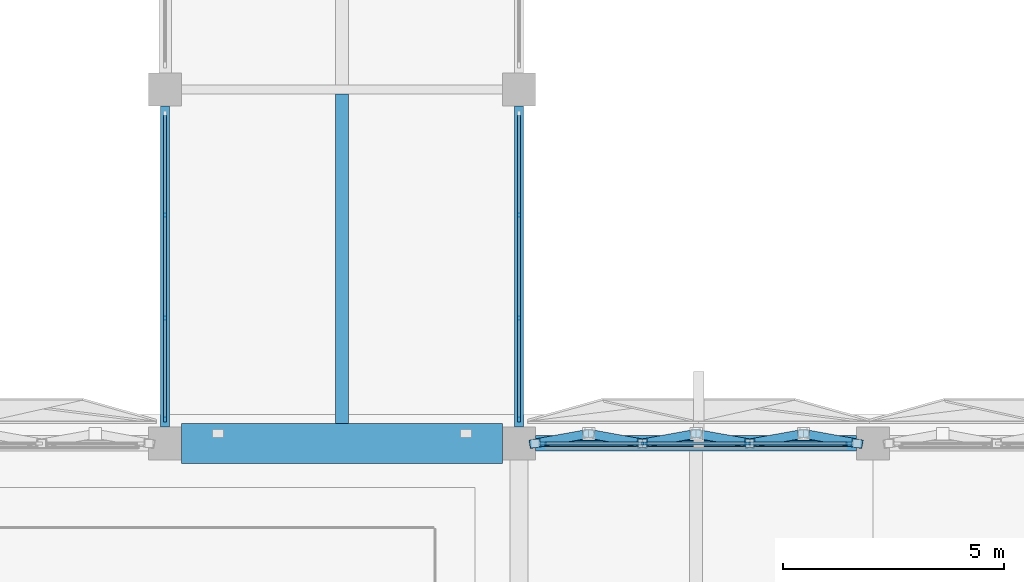
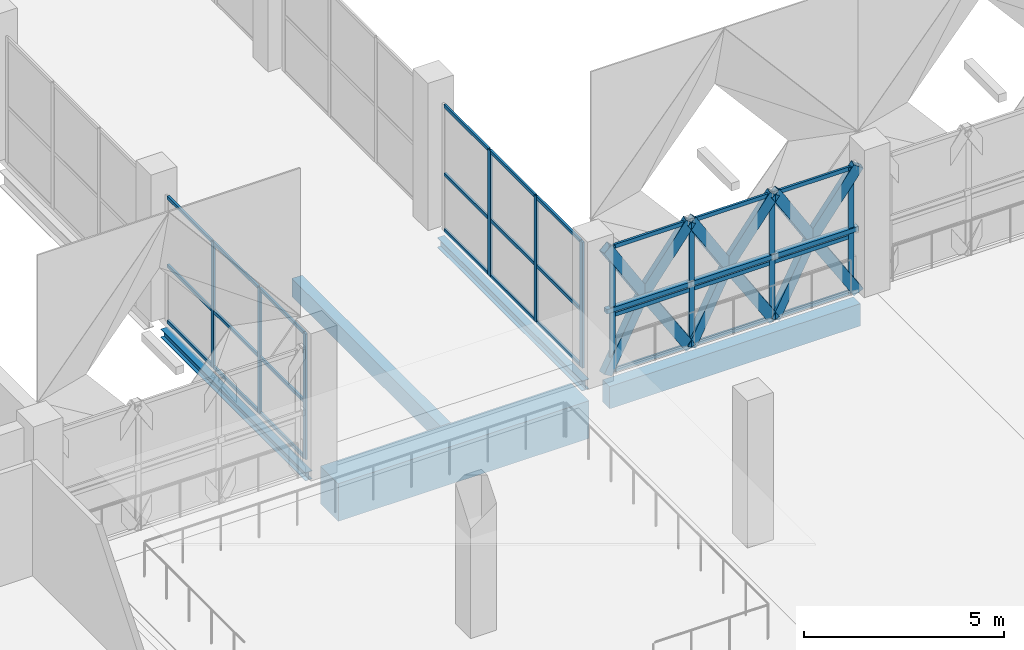
# One storey, part 8 of 53: 52 members, 5 beams, 3 elements without a shape of their own.
"""IFC4 building model written with IfcOpenShell, lengths in metres."""

import ifcopenshell
import ifcopenshell.guid

model = None  # the IFC model being written
_history = None  # IfcOwnerHistory: only IFC2X3 demands one
_inside = {}  # id of a spatial element -> (the spatial element, [elements in it])
_under = {}  # id of a project, library or spatial element -> (it, [spatial elements below it])
_declared = {}  # id of a project -> (the project, [libraries it declares])
_typed = {}  # id of a type object -> (the type object, [elements of that type])
_made_of = {}  # id of a material, layer set ... -> (it, [elements and type objects made of it])


def new_model(schema):
    """Start an empty IFC model of exactly this schema.

    Asked for "IFC4X3", IfcOpenShell would pick the latest addendum, in which some entities
    have other attributes; the version numbers below select the first issue.
    IFC2X3 requires an IfcOwnerHistory on every rooted entity: one is made here for all.
    """
    global model, _history
    if schema == "IFC4X3":
        model = ifcopenshell.file(schema_version=(4, 3, 0, 0))
    else:
        model = ifcopenshell.file(schema=schema)
    _inside.clear()
    _under.clear()
    _declared.clear()
    _typed.clear()
    _made_of.clear()
    _history = None
    if model.schema == "IFC2X3":
        org = make("IfcOrganization", Name="unknown")
        user = make(
            "IfcPersonAndOrganization",
            ThePerson=make("IfcPerson", FamilyName="unknown"),
            TheOrganization=org,
        )
        app = make(
            "IfcApplication",
            ApplicationDeveloper=org,
            Version="unknown",
            ApplicationFullName="unknown",
            ApplicationIdentifier="unknown",
        )
        _history = make(
            "IfcOwnerHistory",
            OwningUser=user,
            OwningApplication=app,
            ChangeAction="ADDED",
            CreationDate=0,
        )
    return model


def make(cls, **values):
    """One entity of the class cls with the attributes given. An attribute that is None is left unset."""
    return model.create_entity(
        cls, **{name: value for name, value in values.items() if value is not None}
    )


def rooted(cls, **values):
    """An entity with a GlobalId (a new one), such as an element, a storey or a relation."""
    return make(cls, GlobalId=ifcopenshell.guid.new(), OwnerHistory=_history, **values)


def si_unit(unit_type, name, prefix=None):
    """IfcSIUnit, for example si_unit("LENGTHUNIT", "METRE", prefix="MILLI")."""
    return make("IfcSIUnit", UnitType=unit_type, Prefix=prefix, Name=name)


def assignment(units):
    """IfcUnitAssignment: the units of a project."""
    return None if units is None else make("IfcUnitAssignment", Units=units)


def point(xyz):
    """IfcCartesianPoint."""
    return None if xyz is None else make("IfcCartesianPoint", Coordinates=xyz)


def direction(xyz):
    """IfcDirection."""
    return None if xyz is None else make("IfcDirection", DirectionRatios=xyz)


def frame(location, z_axis=None, x_axis=None):
    """IfcAxis2Placement3D, a coordinate frame: its origin and axes. An axis left out is left unset."""
    return make(
        "IfcAxis2Placement3D",
        Location=point(location),
        Axis=direction(z_axis),
        RefDirection=direction(x_axis),
    )


def frame_2d(location, x_axis=None):
    """IfcAxis2Placement2D, a coordinate frame in the plane: its origin and x axis."""
    return make(
        "IfcAxis2Placement2D", Location=point(location), RefDirection=direction(x_axis)
    )


def origin():
    """The frame at (0, 0, 0) with its axes left unset."""
    return frame((0.0, 0.0, 0.0))


def origin_2d():
    """The frame at (0, 0) in the plane with its x axis left unset."""
    return frame_2d((0.0, 0.0))


def place(relative_to, where):
    """IfcLocalPlacement: puts the frame where relative to a parent placement (None: the world)."""
    return make(
        "IfcLocalPlacement", PlacementRelTo=relative_to, RelativePlacement=where
    )


def context(
    kind, dimensions, precision=None, world=None, true_north=None, identifier=None
):
    """IfcGeometricRepresentationContext, for example the 3D "Model" context."""
    return make(
        "IfcGeometricRepresentationContext",
        ContextIdentifier=identifier,
        ContextType=kind,
        CoordinateSpaceDimension=dimensions,
        Precision=precision,
        WorldCoordinateSystem=world,
        TrueNorth=true_north,
    )


def subcontext(parent, identifier, kind, view, scale=None):
    """IfcGeometricRepresentationSubContext, for example "Body" below "Model"."""
    return make(
        "IfcGeometricRepresentationSubContext",
        ContextIdentifier=identifier,
        ContextType=kind,
        ParentContext=parent,
        TargetScale=scale,
        TargetView=view,
    )


def project(units=None, contexts=None):
    """IfcProject with its units and contexts."""
    return rooted(
        "IfcProject",
        Name="project",
        RepresentationContexts=contexts,
        UnitsInContext=assignment(units),
    )


def spatial(cls, under=None, at=None, **own):
    """A site, building, storey or space (cls), placed at a placement, below another one or the project."""
    s = rooted(cls, ObjectPlacement=at, **own)
    if under is not None:
        _under.setdefault(under.id(), (under, []))[1].append(s)
    return s


def profile(cls, at=None, kind="AREA", **sizes):
    """A parametric profile (cls). Its sizes go by their IFC names, for example OverallWidth=200.0."""
    return make(cls, ProfileType=kind, Position=at, **sizes)


def rectangle(**sizes):
    """IfcRectangleProfileDef."""
    return profile("IfcRectangleProfileDef", **sizes)


def hollow_rectangle(**sizes):
    """IfcRectangleHollowProfileDef."""
    return profile("IfcRectangleHollowProfileDef", **sizes)


def i_section(**sizes):
    """IfcIShapeProfileDef."""
    return profile("IfcIShapeProfileDef", **sizes)


def extrude(swept, where, along, depth):
    """IfcExtrudedAreaSolid: the profile swept, set in the frame where, extruded along a direction by depth."""
    return make(
        "IfcExtrudedAreaSolid",
        SweptArea=swept,
        Position=where,
        ExtrudedDirection=direction(along),
        Depth=depth,
    )


def shape(context_of_items, identifier, shape_type, items):
    """IfcShapeRepresentation: the items that make up one representation, for example the "Body"."""
    return make(
        "IfcShapeRepresentation",
        ContextOfItems=context_of_items,
        RepresentationIdentifier=identifier,
        RepresentationType=shape_type,
        Items=items,
    )


def material(Name=None, Category=None):
    """IfcMaterial."""
    return make("IfcMaterial", Name=Name, Category=Category)


def layer(
    of_material, thickness, ventilated=None, Name=None, Category=None, Priority=None
):
    """IfcMaterialLayer: one layer of a wall or slab, of a material (None: an air gap)."""
    return make(
        "IfcMaterialLayer",
        Material=of_material,
        LayerThickness=thickness,
        IsVentilated=ventilated,
        Name=Name,
        Category=Category,
        Priority=Priority,
    )


def layer_set(layers, Name=None):
    """IfcMaterialLayerSet."""
    return make("IfcMaterialLayerSet", MaterialLayers=layers, LayerSetName=Name)


def material_profile(
    of_material, cross_section, Name=None, Category=None, Priority=None
):
    """IfcMaterialProfile: a cross section and its material."""
    return make(
        "IfcMaterialProfile",
        Name=Name,
        Material=of_material,
        Profile=cross_section,
        Priority=Priority,
        Category=Category,
    )


def profile_set(profiles, Name=None, composite=None):
    """IfcMaterialProfileSet."""
    return make(
        "IfcMaterialProfileSet",
        Name=Name,
        MaterialProfiles=profiles,
        CompositeProfile=composite,
    )


def made_of(thing, what):
    """Note that an element or type object is made of a material, layer set ...; save() writes the relation."""
    if what is not None:
        _made_of.setdefault(what.id(), (what, []))[1].append(thing)
    return thing


def type_object(cls, material=None, **own):
    """A type object (cls), such as IfcWallType, which elements share."""
    return made_of(rooted(cls, **own), material)


def element(
    cls,
    number,
    at=None,
    inside=None,
    cuts=None,
    type_object=None,
    material=None,
    context=None,
    identifier="Body",
    shape_type=None,
    held_by="IfcProductDefinitionShape",
    body=None,
    shapes=None,
    **own,
):
    """One element of the class cls, such as IfcWall. Its Tag is "e" and its number.

    at: its placement. inside: the storey or other place that contains it. cuts: it is an
    opening in that element (IfcRelVoidsElement). A single representation is given by context,
    identifier, shape_type and body (its items); several are given by shapes. held_by: the class
    of the entity that holds the representations. save() writes the other relations.
    """
    e = rooted(cls, Tag="e%d" % number, ObjectPlacement=at, **own)
    if body is not None:
        shapes = [shape(context, identifier, shape_type, body)]
    if shapes is not None:
        e.Representation = make(held_by, Representations=shapes)
    if inside is not None:
        _inside.setdefault(inside.id(), (inside, []))[1].append(e)
    if cuts is not None:
        rooted(
            "IfcRelVoidsElement", RelatingBuildingElement=cuts, RelatedOpeningElement=e
        )
    if type_object is not None:
        _typed.setdefault(type_object.id(), (type_object, []))[1].append(e)
    return made_of(e, material)


def aggregate(whole, parts):
    """IfcRelAggregates: a whole, such as a stair, and the parts it consists of."""
    return rooted("IfcRelAggregates", RelatingObject=whole, RelatedObjects=parts)


def save(model, path):
    """Write the relations noted so far, then the file.

    IfcRelAggregates (storeys below a building ...), IfcRelContainedInSpatialStructure (elements
    in a storey), IfcRelDefinesByType, IfcRelAssociatesMaterial and IfcRelDeclares: one each for
    every whole, place, type object, material and project.
    """
    for whole, parts in _under.values():
        aggregate(whole, parts)
    for where, things in _inside.values():
        rooted(
            "IfcRelContainedInSpatialStructure",
            RelatedElements=things,
            RelatingStructure=where,
        )
    for kind, things in _typed.values():
        rooted("IfcRelDefinesByType", RelatedObjects=things, RelatingType=kind)
    for what, things in _made_of.values():
        rooted("IfcRelAssociatesMaterial", RelatedObjects=things, RelatingMaterial=what)
    for by, libraries in _declared.values():
        rooted("IfcRelDeclares", RelatingContext=by, RelatedDefinitions=libraries)
    model.write(path)


model = new_model("IFC4")

# Units and contexts
model_context = context("Model", 3, precision=1e-05, world=origin(), true_north=direction((0.0, 1.0)))
body_context = subcontext(model_context, "Body", "Model", "MODEL_VIEW")
ifc_project = project(units=[si_unit("LENGTHUNIT", "METRE"), si_unit("AREAUNIT", "SQUARE_METRE"), si_unit("VOLUMEUNIT", "CUBIC_METRE"), si_unit("PLANEANGLEUNIT", "RADIAN"), si_unit("MASSUNIT", "GRAM", prefix="KILO")], contexts=[model_context])

# Site, building, storey
site_placement = place(None, origin())
site = spatial("IfcSite", under=ifc_project, at=site_placement, CompositionType="ELEMENT")
building_placement = place(site_placement, origin())
building = spatial("IfcBuilding", under=site, at=building_placement, Name="Qorikala Patio Media Centre", CompositionType="ELEMENT")
storey_placement = place(building_placement, frame((0.0, 0.0, 5.39990234375)))
storey = spatial("IfcBuildingStorey", under=building, at=storey_placement, Name="L01", CompositionType="ELEMENT", Elevation=5.39990234375)

# Beam
ifc_material_1 = material(Name="Concrete C35/45", Category="concrete")
ifc_material_profile_1 = material_profile(ifc_material_1, rectangle(XDim=0.89990234375, YDim=1.14990234375, at=origin_2d()), Name="RC 900x1150")
ifc_profile_set_1 = profile_set([ifc_material_profile_1], Name="Concrete C35/45")
beam_type_1 = type_object("IfcBeamType", Name="BM-TR900X1150", PredefinedType="BEAM", material=ifc_profile_set_1)
beam_1_placement = place(storey_placement, frame((51.375, 27.0, -0.875), z_axis=(1.0, 0.0, 0.0), x_axis=(0.0, 1.0, 0.0)))
element("IfcBeam", 1, at=beam_1_placement, inside=storey, type_object=beam_type_1, Name="L01 Grid 27 Beam 0463", PredefinedType="BEAM", context=body_context, shape_type="SweptSolid", body=[
    extrude(rectangle(XDim=0.89990234375, YDim=1.14990234375, at=origin_2d()), origin(), (0.0, 0.0, 1.0), 7.25),
])

# Members
ifc_material_2 = material(Name="Golden Bronze Coated Steel S355", Category="steel")
ifc_material_profile_2 = material_profile(ifc_material_2, hollow_rectangle(XDim=0.139892578125, YDim=0.139892578125, WallThickness=0.006103515625, at=origin_2d()), Name="HSS140X140X6")
ifc_profile_set_2 = profile_set([ifc_material_profile_2], Name="Golden Bronze Coated Steel S355")
member_type_1 = type_object("IfcMemberType", Name="BRACE-DIA140", PredefinedType="BRACE", material=ifc_profile_set_2)
member_1_placement = place(storey_placement, frame((59.360107421875, 27.0, 1.925048828125), z_axis=(1.0, 0.0, 0.0), x_axis=(0.0, 1.0, 0.0)))
element("IfcMember", 2, at=member_1_placement, inside=storey, type_object=member_type_1, Name="L01 Diamond Fold Tie 004", PredefinedType="BRACE", context=body_context, shape_type="SweptSolid", body=[
    extrude(hollow_rectangle(XDim=0.139892578125, YDim=0.139892578125, WallThickness=0.006103515625, at=origin_2d()), origin(), (0.0, 0.0, 1.0), 2.426513671875),
])
member_2_placement = place(storey_placement, frame((61.78662109375, 27.0, 1.925048828125), z_axis=(1.0, 0.0, 0.0), x_axis=(0.0, 1.0, 0.0)))
element("IfcMember", 3, at=member_2_placement, inside=storey, type_object=member_type_1, Name="L01 Diamond Fold Tie 005", PredefinedType="BRACE", context=body_context, shape_type="SweptSolid", body=[
    extrude(hollow_rectangle(XDim=0.139892578125, YDim=0.139892578125, WallThickness=0.006103515625, at=origin_2d()), origin(), (0.0, 0.0, 1.0), 2.4267578125),
])
member_3_placement = place(storey_placement, frame((64.21337890625, 27.0, 1.925048828125), z_axis=(1.0, 0.0, 0.0), x_axis=(0.0, 1.0, 0.0)))
element("IfcMember", 4, at=member_3_placement, inside=storey, type_object=member_type_1, Name="L01 Diamond Fold Tie 006", PredefinedType="BRACE", context=body_context, shape_type="SweptSolid", body=[
    extrude(hollow_rectangle(XDim=0.139892578125, YDim=0.139892578125, WallThickness=0.006103515625, at=origin_2d()), origin(), (0.0, 0.0, 1.0), 2.426513671875),
])

# Curtain wall, members
ifc_material_3 = material(Name="Bronze Anodised Aluminium and Low-E Glass", Category="aluminium")
ifc_layer_1 = layer(ifc_material_3, 0.159912109375)
ifc_layer_set_1 = layer_set([ifc_layer_1], Name="Bronze Anodised Aluminium and Low-E Glass")
curtain_wall_type_1 = type_object("IfcCurtainWallType", Name="CW-BRG-696X385", PredefinedType="USERDEFINED", material=ifc_layer_set_1)
curtain_wall_1_placement = place(storey_placement, origin())
curtain_wall_1 = element("IfcCurtainWall", 5, at=curtain_wall_1_placement, inside=storey, type_object=curtain_wall_type_1, Name="L01 Courtyard Curtain Wall 016", ObjectType="COURTYARD CURTAIN WALL", PredefinedType="USERDEFINED")
ifc_material_4 = material(Name="Bronze Anodised Aluminium", Category="aluminium")
ifc_material_profile_3 = material_profile(ifc_material_4, rectangle(XDim=0.06005859375, YDim=0.1298828125, at=origin_2d()), Name="ALU MULLION 60x130")
ifc_profile_set_3 = profile_set([ifc_material_profile_3], Name="Bronze Anodised Aluminium")
member_type_2 = type_object("IfcMemberType", Name="CWM-60X130", PredefinedType="MULLION", material=ifc_profile_set_3)
member_4_placement = place(storey_placement, frame((51.0, 27.550048828125, 0.0), z_axis=(0.0, 0.0, 1.0), x_axis=(-1.0, 0.0, 0.0)))
member_4 = element("IfcMember", 6, at=member_4_placement, type_object=member_type_2, Name="CWB696385 mullion 1", PredefinedType="MULLION", context=body_context, shape_type="SweptSolid", body=[
    extrude(rectangle(XDim=0.06005859375, YDim=0.1298828125, at=origin_2d()), origin(), (0.0, 0.0, 1.0), 3.85009765625),
])
member_5_placement = place(storey_placement, frame((51.0, 29.840087890625, 0.0), z_axis=(0.0, 0.0, 1.0), x_axis=(-1.0, 0.0, 0.0)))
member_5 = element("IfcMember", 7, at=member_5_placement, type_object=member_type_2, Name="CWB696385 mullion 2", PredefinedType="MULLION", context=body_context, shape_type="SweptSolid", body=[
    extrude(rectangle(XDim=0.06005859375, YDim=0.1298828125, at=origin_2d()), origin(), (0.0, 0.0, 1.0), 3.85009765625),
])
member_6_placement = place(storey_placement, frame((51.0, 32.159912109375, 0.0), z_axis=(0.0, 0.0, 1.0), x_axis=(-1.0, 0.0, 0.0)))
member_6 = element("IfcMember", 8, at=member_6_placement, type_object=member_type_2, Name="CWB696385 mullion 3", PredefinedType="MULLION", context=body_context, shape_type="SweptSolid", body=[
    extrude(rectangle(XDim=0.06005859375, YDim=0.1298828125, at=origin_2d()), origin(), (0.0, 0.0, 1.0), 3.85009765625),
])

curtain_wall_2_placement = place(storey_placement, origin())
curtain_wall_2 = element("IfcCurtainWall", 9, at=curtain_wall_2_placement, inside=storey, type_object=curtain_wall_type_1, Name="L01 Courtyard Curtain Wall 029", ObjectType="COURTYARD CURTAIN WALL", PredefinedType="USERDEFINED")
member_7_placement = place(storey_placement, frame((59.0, 32.159912109375, 0.0), z_axis=(0.0, 0.0, 1.0), x_axis=(1.0, 0.0, 0.0)))
member_7 = element("IfcMember", 10, at=member_7_placement, type_object=member_type_2, Name="CWB696385 mullion 2", PredefinedType="MULLION", context=body_context, shape_type="SweptSolid", body=[
    extrude(rectangle(XDim=0.06005859375, YDim=0.1298828125, at=origin_2d()), origin(), (0.0, 0.0, 1.0), 3.85009765625),
])
member_8_placement = place(storey_placement, frame((59.0, 29.840087890625, 0.0), z_axis=(0.0, 0.0, 1.0), x_axis=(1.0, 0.0, 0.0)))
member_8 = element("IfcMember", 11, at=member_8_placement, type_object=member_type_2, Name="CWB696385 mullion 3", PredefinedType="MULLION", context=body_context, shape_type="SweptSolid", body=[
    extrude(rectangle(XDim=0.06005859375, YDim=0.1298828125, at=origin_2d()), origin(), (0.0, 0.0, 1.0), 3.85009765625),
])
member_9_placement = place(storey_placement, frame((59.0, 27.550048828125, 0.0), z_axis=(0.0, 0.0, 1.0), x_axis=(1.0, 0.0, 0.0)))
member_9 = element("IfcMember", 12, at=member_9_placement, type_object=member_type_2, Name="CWB696385 mullion 4", PredefinedType="MULLION", context=body_context, shape_type="SweptSolid", body=[
    extrude(rectangle(XDim=0.06005859375, YDim=0.1298828125, at=origin_2d()), origin(), (0.0, 0.0, 1.0), 3.85009765625),
])

ifc_material_5 = material(Name="Golden Bronze Anodised Aluminium and Low-E Glass", Category="aluminium")
ifc_layer_2 = layer(ifc_material_5, 0.159912109375)
ifc_layer_set_2 = layer_set([ifc_layer_2], Name="Golden Bronze Anodised Aluminium and Low-E Glass")
curtain_wall_type_2 = type_object("IfcCurtainWallType", Name="CW-DIA-696X385", PredefinedType="USERDEFINED", material=ifc_layer_set_2)
curtain_wall_3_placement = place(storey_placement, origin())
curtain_wall_3 = element("IfcCurtainWall", 13, at=curtain_wall_3_placement, inside=storey, type_object=curtain_wall_type_2, Name="L01 Courtyard Curtain Wall 030", ObjectType="COURTYARD CURTAIN WALL", PredefinedType="USERDEFINED")
ifc_material_6 = material(Name="Golden Bronze Anodised Aluminium", Category="aluminium")
ifc_material_profile_4 = material_profile(ifc_material_6, rectangle(XDim=0.06494140625, YDim=0.14990234375, at=origin_2d()), Name="ALU MULLION 65x150")
ifc_profile_set_4 = profile_set([ifc_material_profile_4], Name="Golden Bronze Anodised Aluminium")
member_type_3 = type_object("IfcMemberType", Name="CWM-65X150", PredefinedType="MULLION", material=ifc_profile_set_4)
member_10_placement = place(storey_placement, frame((59.552490234375, 27.0, 0.0), z_axis=(0.0, 0.0, 1.0), x_axis=(0.0, 1.0, 0.0)))
member_10 = element("IfcMember", 14, at=member_10_placement, type_object=member_type_3, Name="CWD696385 mullion 1", PredefinedType="MULLION", context=body_context, shape_type="SweptSolid", body=[
    extrude(rectangle(XDim=0.06494140625, YDim=0.14990234375, at=origin_2d()), origin(), (0.0, 0.0, 1.0), 3.85009765625),
])
member_11_placement = place(storey_placement, frame((61.840087890625, 27.0, 0.0), z_axis=(0.0, 0.0, 1.0), x_axis=(0.0, 1.0, 0.0)))
member_11 = element("IfcMember", 15, at=member_11_placement, type_object=member_type_3, Name="CWD696385 mullion 2", PredefinedType="MULLION", context=body_context, shape_type="SweptSolid", body=[
    extrude(rectangle(XDim=0.06494140625, YDim=0.14990234375, at=origin_2d()), origin(), (0.0, 0.0, 1.0), 3.85009765625),
])
member_12_placement = place(storey_placement, frame((64.159912109375, 27.0, 0.0), z_axis=(0.0, 0.0, 1.0), x_axis=(0.0, 1.0, 0.0)))
member_12 = element("IfcMember", 16, at=member_12_placement, type_object=member_type_3, Name="CWD696385 mullion 3", PredefinedType="MULLION", context=body_context, shape_type="SweptSolid", body=[
    extrude(rectangle(XDim=0.06494140625, YDim=0.14990234375, at=origin_2d()), origin(), (0.0, 0.0, 1.0), 3.85009765625),
])
member_13_placement = place(storey_placement, frame((66.447509765625, 27.0, 0.0), z_axis=(0.0, 0.0, 1.0), x_axis=(0.0, 1.0, 0.0)))
member_13 = element("IfcMember", 17, at=member_13_placement, type_object=member_type_3, Name="CWD696385 mullion 4", PredefinedType="MULLION", context=body_context, shape_type="SweptSolid", body=[
    extrude(rectangle(XDim=0.06494140625, YDim=0.14990234375, at=origin_2d()), origin(), (0.0, 0.0, 1.0), 3.85009765625),
])

# Member
ifc_material_profile_5 = material_profile(ifc_material_4, rectangle(XDim=0.06005859375, YDim=0.10009765625, at=origin_2d()), Name="ALU TRANSOM 60x100")
ifc_profile_set_5 = profile_set([ifc_material_profile_5], Name="Bronze Anodised Aluminium")
member_type_4 = type_object("IfcMemberType", Name="CWT-60X100", PredefinedType="USERDEFINED", material=ifc_profile_set_5)
member_14_placement = place(storey_placement, frame((51.0, 27.580078125, 0.030029296875), z_axis=(0.0, 1.0, 0.0), x_axis=(-1.0, 0.0, 0.0)))
member_14 = element("IfcMember", 18, at=member_14_placement, type_object=member_type_4, Name="CWB696385 transom 1.1", ObjectType="TRANSOM", PredefinedType="USERDEFINED", context=body_context, shape_type="SweptSolid", body=[
    extrude(rectangle(XDim=0.06005859375, YDim=0.10009765625, at=origin_2d()), origin(), (0.0, 0.0, 1.0), 2.22998046875),
])

member_15_placement = place(storey_placement, frame((51.0, 27.580078125, 1.732666015625), z_axis=(0.0, 1.0, 0.0), x_axis=(-1.0, 0.0, 0.0)))
member_15 = element("IfcMember", 19, at=member_15_placement, type_object=member_type_4, Name="CWB696385 transom 1.2", ObjectType="TRANSOM", PredefinedType="USERDEFINED", context=body_context, shape_type="SweptSolid", body=[
    extrude(rectangle(XDim=0.06005859375, YDim=0.10009765625, at=origin_2d()), origin(), (0.0, 0.0, 1.0), 2.22998046875),
])

member_16_placement = place(storey_placement, frame((51.0, 27.580078125, 3.820068359375), z_axis=(0.0, 1.0, 0.0), x_axis=(-1.0, 0.0, 0.0)))
member_16 = element("IfcMember", 20, at=member_16_placement, type_object=member_type_4, Name="CWB696385 transom 1.3", ObjectType="TRANSOM", PredefinedType="USERDEFINED", context=body_context, shape_type="SweptSolid", body=[
    extrude(rectangle(XDim=0.06005859375, YDim=0.10009765625, at=origin_2d()), origin(), (0.0, 0.0, 1.0), 2.22998046875),
])

member_17_placement = place(storey_placement, frame((51.0, 29.8701171875, 0.030029296875), z_axis=(0.0, 1.0, 0.0), x_axis=(-1.0, 0.0, 0.0)))
member_17 = element("IfcMember", 21, at=member_17_placement, type_object=member_type_4, Name="CWB696385 transom 2.1", ObjectType="TRANSOM", PredefinedType="USERDEFINED", context=body_context, shape_type="SweptSolid", body=[
    extrude(rectangle(XDim=0.06005859375, YDim=0.10009765625, at=origin_2d()), origin(), (0.0, 0.0, 1.0), 2.259765625),
])

member_18_placement = place(storey_placement, frame((51.0, 29.8701171875, 1.732666015625), z_axis=(0.0, 1.0, 0.0), x_axis=(-1.0, 0.0, 0.0)))
member_18 = element("IfcMember", 22, at=member_18_placement, type_object=member_type_4, Name="CWB696385 transom 2.2", ObjectType="TRANSOM", PredefinedType="USERDEFINED", context=body_context, shape_type="SweptSolid", body=[
    extrude(rectangle(XDim=0.06005859375, YDim=0.10009765625, at=origin_2d()), origin(), (0.0, 0.0, 1.0), 2.259765625),
])

member_19_placement = place(storey_placement, frame((51.0, 29.8701171875, 3.820068359375), z_axis=(0.0, 1.0, 0.0), x_axis=(-1.0, 0.0, 0.0)))
member_19 = element("IfcMember", 23, at=member_19_placement, type_object=member_type_4, Name="CWB696385 transom 2.3", ObjectType="TRANSOM", PredefinedType="USERDEFINED", context=body_context, shape_type="SweptSolid", body=[
    extrude(rectangle(XDim=0.06005859375, YDim=0.10009765625, at=origin_2d()), origin(), (0.0, 0.0, 1.0), 2.259765625),
])

member_20_placement = place(storey_placement, frame((51.0, 32.18994140625, 0.030029296875), z_axis=(0.0, 1.0, 0.0), x_axis=(-1.0, 0.0, 0.0)))
member_20 = element("IfcMember", 24, at=member_20_placement, type_object=member_type_4, Name="CWB696385 transom 3.1", ObjectType="TRANSOM", PredefinedType="USERDEFINED", context=body_context, shape_type="SweptSolid", body=[
    extrude(rectangle(XDim=0.06005859375, YDim=0.10009765625, at=origin_2d()), origin(), (0.0, 0.0, 1.0), 2.22998046875),
])

member_21_placement = place(storey_placement, frame((51.0, 32.18994140625, 1.732666015625), z_axis=(0.0, 1.0, 0.0), x_axis=(-1.0, 0.0, 0.0)))
member_21 = element("IfcMember", 25, at=member_21_placement, type_object=member_type_4, Name="CWB696385 transom 3.2", ObjectType="TRANSOM", PredefinedType="USERDEFINED", context=body_context, shape_type="SweptSolid", body=[
    extrude(rectangle(XDim=0.06005859375, YDim=0.10009765625, at=origin_2d()), origin(), (0.0, 0.0, 1.0), 2.22998046875),
])

member_22_placement = place(storey_placement, frame((51.0, 32.18994140625, 3.820068359375), z_axis=(0.0, 1.0, 0.0), x_axis=(-1.0, 0.0, 0.0)))
member_22 = element("IfcMember", 26, at=member_22_placement, type_object=member_type_4, Name="CWB696385 transom 3.3", ObjectType="TRANSOM", PredefinedType="USERDEFINED", context=body_context, shape_type="SweptSolid", body=[
    extrude(rectangle(XDim=0.06005859375, YDim=0.10009765625, at=origin_2d()), origin(), (0.0, 0.0, 1.0), 2.22998046875),
])

aggregate(curtain_wall_1, [member_4, member_5, member_6, member_14, member_15, member_16, member_17, member_18, member_19, member_20, member_21, member_22])

member_23_placement = place(storey_placement, frame((59.0, 34.419921875, 0.030029296875), z_axis=(0.0, -1.0, 0.0), x_axis=(1.0, 0.0, 0.0)))
member_23 = element("IfcMember", 27, at=member_23_placement, type_object=member_type_4, Name="CWB696385 transom 1.1", ObjectType="TRANSOM", PredefinedType="USERDEFINED", context=body_context, shape_type="SweptSolid", body=[
    extrude(rectangle(XDim=0.06005859375, YDim=0.10009765625, at=origin_2d()), origin(), (0.0, 0.0, 1.0), 2.22998046875),
])

member_24_placement = place(storey_placement, frame((59.0, 34.419921875, 1.732666015625), z_axis=(0.0, -1.0, 0.0), x_axis=(1.0, 0.0, 0.0)))
member_24 = element("IfcMember", 28, at=member_24_placement, type_object=member_type_4, Name="CWB696385 transom 1.2", ObjectType="TRANSOM", PredefinedType="USERDEFINED", context=body_context, shape_type="SweptSolid", body=[
    extrude(rectangle(XDim=0.06005859375, YDim=0.10009765625, at=origin_2d()), origin(), (0.0, 0.0, 1.0), 2.22998046875),
])

member_25_placement = place(storey_placement, frame((59.0, 34.419921875, 3.820068359375), z_axis=(0.0, -1.0, 0.0), x_axis=(1.0, 0.0, 0.0)))
member_25 = element("IfcMember", 29, at=member_25_placement, type_object=member_type_4, Name="CWB696385 transom 1.3", ObjectType="TRANSOM", PredefinedType="USERDEFINED", context=body_context, shape_type="SweptSolid", body=[
    extrude(rectangle(XDim=0.06005859375, YDim=0.10009765625, at=origin_2d()), origin(), (0.0, 0.0, 1.0), 2.22998046875),
])

member_26_placement = place(storey_placement, frame((59.0, 32.1298828125, 0.030029296875), z_axis=(0.0, -1.0, 0.0), x_axis=(1.0, 0.0, 0.0)))
member_26 = element("IfcMember", 30, at=member_26_placement, type_object=member_type_4, Name="CWB696385 transom 2.1", ObjectType="TRANSOM", PredefinedType="USERDEFINED", context=body_context, shape_type="SweptSolid", body=[
    extrude(rectangle(XDim=0.06005859375, YDim=0.10009765625, at=origin_2d()), origin(), (0.0, 0.0, 1.0), 2.259765625),
])

member_27_placement = place(storey_placement, frame((59.0, 32.1298828125, 1.732666015625), z_axis=(0.0, -1.0, 0.0), x_axis=(1.0, 0.0, 0.0)))
member_27 = element("IfcMember", 31, at=member_27_placement, type_object=member_type_4, Name="CWB696385 transom 2.2", ObjectType="TRANSOM", PredefinedType="USERDEFINED", context=body_context, shape_type="SweptSolid", body=[
    extrude(rectangle(XDim=0.06005859375, YDim=0.10009765625, at=origin_2d()), origin(), (0.0, 0.0, 1.0), 2.259765625),
])

member_28_placement = place(storey_placement, frame((59.0, 32.1298828125, 3.820068359375), z_axis=(0.0, -1.0, 0.0), x_axis=(1.0, 0.0, 0.0)))
member_28 = element("IfcMember", 32, at=member_28_placement, type_object=member_type_4, Name="CWB696385 transom 2.3", ObjectType="TRANSOM", PredefinedType="USERDEFINED", context=body_context, shape_type="SweptSolid", body=[
    extrude(rectangle(XDim=0.06005859375, YDim=0.10009765625, at=origin_2d()), origin(), (0.0, 0.0, 1.0), 2.259765625),
])

member_29_placement = place(storey_placement, frame((59.0, 29.81005859375, 0.030029296875), z_axis=(0.0, -1.0, 0.0), x_axis=(1.0, 0.0, 0.0)))
member_29 = element("IfcMember", 33, at=member_29_placement, type_object=member_type_4, Name="CWB696385 transom 3.1", ObjectType="TRANSOM", PredefinedType="USERDEFINED", context=body_context, shape_type="SweptSolid", body=[
    extrude(rectangle(XDim=0.06005859375, YDim=0.10009765625, at=origin_2d()), origin(), (0.0, 0.0, 1.0), 2.22998046875),
])

member_30_placement = place(storey_placement, frame((59.0, 29.81005859375, 1.732666015625), z_axis=(0.0, -1.0, 0.0), x_axis=(1.0, 0.0, 0.0)))
member_30 = element("IfcMember", 34, at=member_30_placement, type_object=member_type_4, Name="CWB696385 transom 3.2", ObjectType="TRANSOM", PredefinedType="USERDEFINED", context=body_context, shape_type="SweptSolid", body=[
    extrude(rectangle(XDim=0.06005859375, YDim=0.10009765625, at=origin_2d()), origin(), (0.0, 0.0, 1.0), 2.22998046875),
])

member_31_placement = place(storey_placement, frame((59.0, 29.81005859375, 3.820068359375), z_axis=(0.0, -1.0, 0.0), x_axis=(1.0, 0.0, 0.0)))
member_31 = element("IfcMember", 35, at=member_31_placement, type_object=member_type_4, Name="CWB696385 transom 3.3", ObjectType="TRANSOM", PredefinedType="USERDEFINED", context=body_context, shape_type="SweptSolid", body=[
    extrude(rectangle(XDim=0.06005859375, YDim=0.10009765625, at=origin_2d()), origin(), (0.0, 0.0, 1.0), 2.22998046875),
])

aggregate(curtain_wall_2, [member_7, member_8, member_9, member_23, member_24, member_25, member_26, member_27, member_28, member_29, member_30, member_31])

ifc_material_profile_6 = material_profile(ifc_material_6, rectangle(XDim=0.06494140625, YDim=0.1201171875, at=origin_2d()), Name="ALU TRANSOM 65x120")
ifc_profile_set_6 = profile_set([ifc_material_profile_6], Name="Golden Bronze Anodised Aluminium")
member_type_5 = type_object("IfcMemberType", Name="CWT-65X120", PredefinedType="USERDEFINED", material=ifc_profile_set_6)
member_32_placement = place(storey_placement, frame((59.5849609375, 27.0, 0.03271484375), z_axis=(1.0, 0.0, 0.0), x_axis=(0.0, 1.0, 0.0)))
member_32 = element("IfcMember", 36, at=member_32_placement, type_object=member_type_5, Name="CWD696385 transom 1.1", ObjectType="TRANSOM", PredefinedType="USERDEFINED", context=body_context, shape_type="SweptSolid", body=[
    extrude(rectangle(XDim=0.06494140625, YDim=0.1201171875, at=origin_2d()), origin(), (0.0, 0.0, 1.0), 2.22265625),
])

member_33_placement = place(storey_placement, frame((59.5849609375, 27.0, 1.732666015625), z_axis=(1.0, 0.0, 0.0), x_axis=(0.0, 1.0, 0.0)))
member_33 = element("IfcMember", 37, at=member_33_placement, type_object=member_type_5, Name="CWD696385 transom 1.2", ObjectType="TRANSOM", PredefinedType="USERDEFINED", context=body_context, shape_type="SweptSolid", body=[
    extrude(rectangle(XDim=0.06494140625, YDim=0.1201171875, at=origin_2d()), origin(), (0.0, 0.0, 1.0), 2.22265625),
])

member_34_placement = place(storey_placement, frame((59.5849609375, 27.0, 3.817626953125), z_axis=(1.0, 0.0, 0.0), x_axis=(0.0, 1.0, 0.0)))
member_34 = element("IfcMember", 38, at=member_34_placement, type_object=member_type_5, Name="CWD696385 transom 1.3", ObjectType="TRANSOM", PredefinedType="USERDEFINED", context=body_context, shape_type="SweptSolid", body=[
    extrude(rectangle(XDim=0.06494140625, YDim=0.1201171875, at=origin_2d()), origin(), (0.0, 0.0, 1.0), 2.22265625),
])

member_35_placement = place(storey_placement, frame((61.87255859375, 27.0, 0.03271484375), z_axis=(1.0, 0.0, 0.0), x_axis=(0.0, 1.0, 0.0)))
member_35 = element("IfcMember", 39, at=member_35_placement, type_object=member_type_5, Name="CWD696385 transom 2.1", ObjectType="TRANSOM", PredefinedType="USERDEFINED", context=body_context, shape_type="SweptSolid", body=[
    extrude(rectangle(XDim=0.06494140625, YDim=0.1201171875, at=origin_2d()), origin(), (0.0, 0.0, 1.0), 2.2548828125),
])

member_36_placement = place(storey_placement, frame((61.87255859375, 27.0, 1.732666015625), z_axis=(1.0, 0.0, 0.0), x_axis=(0.0, 1.0, 0.0)))
member_36 = element("IfcMember", 40, at=member_36_placement, type_object=member_type_5, Name="CWD696385 transom 2.2", ObjectType="TRANSOM", PredefinedType="USERDEFINED", context=body_context, shape_type="SweptSolid", body=[
    extrude(rectangle(XDim=0.06494140625, YDim=0.1201171875, at=origin_2d()), origin(), (0.0, 0.0, 1.0), 2.2548828125),
])

member_37_placement = place(storey_placement, frame((61.87255859375, 27.0, 3.817626953125), z_axis=(1.0, 0.0, 0.0), x_axis=(0.0, 1.0, 0.0)))
member_37 = element("IfcMember", 41, at=member_37_placement, type_object=member_type_5, Name="CWD696385 transom 2.3", ObjectType="TRANSOM", PredefinedType="USERDEFINED", context=body_context, shape_type="SweptSolid", body=[
    extrude(rectangle(XDim=0.06494140625, YDim=0.1201171875, at=origin_2d()), origin(), (0.0, 0.0, 1.0), 2.2548828125),
])

member_38_placement = place(storey_placement, frame((64.1923828125, 27.0, 0.03271484375), z_axis=(1.0, 0.0, 0.0), x_axis=(0.0, 1.0, 0.0)))
member_38 = element("IfcMember", 42, at=member_38_placement, type_object=member_type_5, Name="CWD696385 transom 3.1", ObjectType="TRANSOM", PredefinedType="USERDEFINED", context=body_context, shape_type="SweptSolid", body=[
    extrude(rectangle(XDim=0.06494140625, YDim=0.1201171875, at=origin_2d()), origin(), (0.0, 0.0, 1.0), 2.22265625),
])

member_39_placement = place(storey_placement, frame((64.1923828125, 27.0, 1.732666015625), z_axis=(1.0, 0.0, 0.0), x_axis=(0.0, 1.0, 0.0)))
member_39 = element("IfcMember", 43, at=member_39_placement, type_object=member_type_5, Name="CWD696385 transom 3.2", ObjectType="TRANSOM", PredefinedType="USERDEFINED", context=body_context, shape_type="SweptSolid", body=[
    extrude(rectangle(XDim=0.06494140625, YDim=0.1201171875, at=origin_2d()), origin(), (0.0, 0.0, 1.0), 2.22265625),
])

member_40_placement = place(storey_placement, frame((64.1923828125, 27.0, 3.817626953125), z_axis=(1.0, 0.0, 0.0), x_axis=(0.0, 1.0, 0.0)))
member_40 = element("IfcMember", 44, at=member_40_placement, type_object=member_type_5, Name="CWD696385 transom 3.3", ObjectType="TRANSOM", PredefinedType="USERDEFINED", context=body_context, shape_type="SweptSolid", body=[
    extrude(rectangle(XDim=0.06494140625, YDim=0.1201171875, at=origin_2d()), origin(), (0.0, 0.0, 1.0), 2.22265625),
])

aggregate(curtain_wall_3, [member_10, member_11, member_12, member_13, member_32, member_33, member_34, member_35, member_36, member_37, member_38, member_39, member_40])

# Beams
ifc_material_profile_7 = material_profile(ifc_material_1, rectangle(XDim=0.300048828125, YDim=0.550048828125, at=origin_2d()), Name="RC 300x550")
ifc_profile_set_7 = profile_set([ifc_material_profile_7], Name="Concrete C35/45")
beam_type_2 = type_object("IfcBeamType", Name="JS-300X550", PredefinedType="JOIST", material=ifc_profile_set_7)
beam_2_placement = place(storey_placement, frame((55.0, 27.449951171875, -0.574951171875), z_axis=(0.0, 1.0, 0.0), x_axis=(-1.0, 0.0, 0.0)))
element("IfcBeam", 45, at=beam_2_placement, inside=storey, type_object=beam_type_2, Name="L01 Secondary Joist 0703", PredefinedType="JOIST", context=body_context, shape_type="SweptSolid", body=[
    extrude(rectangle(XDim=0.300048828125, YDim=0.550048828125, at=origin_2d()), origin(), (0.0, 0.0, 1.0), 7.448486328125),
])
ifc_material_7 = material(Name="Steel S355", Category="steel")
ifc_material_profile_8 = material_profile(ifc_material_7, i_section(OverallWidth=0.202880859375, OverallDepth=0.251953125, WebThickness=0.008056640625, FlangeThickness=0.013427734375, at=origin_2d()), Name="W250X58")
ifc_profile_set_8 = profile_set([ifc_material_profile_8], Name="Steel S355")
beam_type_3 = type_object("IfcBeamType", Name="SBM-W250X58-EXT", PredefinedType="BEAM", material=ifc_profile_set_8)
beam_3_placement = place(storey_placement, frame((51.0, 27.375, -0.42578125), z_axis=(0.0, 1.0, 0.0), x_axis=(-1.0, 0.0, 0.0)))
element("IfcBeam", 46, at=beam_3_placement, inside=storey, type_object=beam_type_3, Name="L01 Grid X=51 Beam 0595", PredefinedType="BEAM", context=body_context, shape_type="SweptSolid", body=[
    extrude(i_section(OverallWidth=0.202880859375, OverallDepth=0.251953125, WebThickness=0.008056640625, FlangeThickness=0.013427734375, at=origin_2d()), origin(), (0.0, 0.0, 1.0), 7.25),
])
ifc_material_profile_9 = material_profile(ifc_material_7, i_section(OverallWidth=0.202880859375, OverallDepth=0.302978515625, WebThickness=0.007568359375, FlangeThickness=0.01318359375, at=origin_2d()), Name="W310X60")
ifc_profile_set_9 = profile_set([ifc_material_profile_9], Name="Steel S355")
beam_type_4 = type_object("IfcBeamType", Name="SBM-W310X60-EXT", PredefinedType="BEAM", material=ifc_profile_set_9)
beam_4_placement = place(storey_placement, frame((59.0, 27.375, -0.451416015625), z_axis=(0.0, 1.0, 0.0), x_axis=(-1.0, 0.0, 0.0)))
element("IfcBeam", 47, at=beam_4_placement, inside=storey, type_object=beam_type_4, Name="L01 Grid X=59 Beam 0608", PredefinedType="BEAM", context=body_context, shape_type="SweptSolid", body=[
    extrude(i_section(OverallWidth=0.202880859375, OverallDepth=0.302978515625, WebThickness=0.007568359375, FlangeThickness=0.01318359375, at=origin_2d()), origin(), (0.0, 0.0, 1.0), 7.25),
])
ifc_material_profile_10 = material_profile(ifc_material_1, rectangle(XDim=0.35009765625, YDim=0.679931640625, at=origin_2d()), Name="RC 350x680")
ifc_profile_set_10 = profile_set([ifc_material_profile_10], Name="Concrete C35/45")
beam_type_5 = type_object("IfcBeamType", Name="SP-350X680", PredefinedType="SPANDREL", material=ifc_profile_set_10)
beam_5_placement = place(storey_placement, frame((59.375, 27.0, -0.639892578125), z_axis=(1.0, 0.0, 0.0), x_axis=(0.0, 1.0, 0.0)))
element("IfcBeam", 48, at=beam_5_placement, inside=storey, type_object=beam_type_5, Name="L01 Grid 27 Beam 0464", PredefinedType="SPANDREL", context=body_context, shape_type="SweptSolid", body=[
    extrude(rectangle(XDim=0.35009765625, YDim=0.679931640625, at=origin_2d()), origin(), (0.0, 0.0, 1.0), 7.25),
])

# Members
ifc_material_profile_11 = material_profile(ifc_material_2, hollow_rectangle(XDim=0.199951171875, YDim=0.300048828125, WallThickness=0.011962890625, at=origin_2d()), Name="HSS300X200X12")
ifc_profile_set_11 = profile_set([ifc_material_profile_11], Name="Golden Bronze Coated Steel S355")
member_type_6 = type_object("IfcMemberType", Name="STRUT-DIA300", PredefinedType="STRUT", material=ifc_profile_set_11)
member_41_placement = place(storey_placement, frame((59.360107421875, 27.0, 0.0), z_axis=(0.530691378365, 0.095906793675, 0.842121456713), x_axis=(-0.17783968734, 0.984059472596, 0.0)))
element("IfcMember", 49, at=member_41_placement, inside=storey, type_object=member_type_6, Name="L01 Diamond Foyer Fold Strut 004-DL1", PredefinedType="STRUT", context=body_context, shape_type="SweptSolid", body=[
    extrude(hollow_rectangle(XDim=0.199951171875, YDim=0.300048828125, WallThickness=0.011962890625, at=origin_2d()), origin(), (0.0, 0.0, 1.0), 2.285888671875),
])
member_42_placement = place(storey_placement, frame((61.78662109375, 27.0, 0.0), z_axis=(-0.530768093717, 0.095901357778, 0.842073726148), x_axis=(-0.177805036072, -0.98406573416, 0.0)))
element("IfcMember", 50, at=member_42_placement, inside=storey, type_object=member_type_6, Name="L01 Diamond Foyer Fold Strut 004-DL2", PredefinedType="STRUT", context=body_context, shape_type="SweptSolid", body=[
    extrude(hollow_rectangle(XDim=0.199951171875, YDim=0.300048828125, WallThickness=0.011962890625, at=origin_2d()), origin(), (0.0, 0.0, 1.0), 2.2861328125),
])
member_43_placement = place(storey_placement, frame((60.5732421875, 27.21923828125, 1.925048828125), z_axis=(-0.530691378365, -0.095906793675, 0.842121456713), x_axis=(0.17783968734, -0.984059472596, 0.0)))
element("IfcMember", 51, at=member_43_placement, inside=storey, type_object=member_type_6, Name="L01 Diamond Foyer Fold Strut 004-DU1", PredefinedType="STRUT", context=body_context, shape_type="SweptSolid", body=[
    extrude(hollow_rectangle(XDim=0.199951171875, YDim=0.300048828125, WallThickness=0.011962890625, at=origin_2d()), origin(), (0.0, 0.0, 1.0), 2.285888671875),
])
for number, where, z_axis, x_axis, name in (
    (52, (60.5732421875, 27.21923828125, 1.925048828125), (0.530768093717, -0.095901357778, 0.842073726148), (0.177805036072, 0.98406573416, 0.0), "L01 Diamond Foyer Fold Strut 004-DU2"),
    (53, (61.78662109375, 27.0, 0.0), (0.530768093717, 0.095901357778, 0.842073726148), (-0.177805036072, 0.98406573416, 0.0), "L01 Diamond Foyer Fold Strut 005-DL1"),
    (54, (64.21337890625, 27.0, 0.0), (-0.530768093717, 0.095901357778, 0.842073726148), (-0.177805036072, -0.98406573416, 0.0), "L01 Diamond Foyer Fold Strut 005-DL2"),
    (55, (63.0, 27.21923828125, 1.925048828125), (-0.530768093717, -0.095901357778, 0.842073726148), (0.177805036072, -0.98406573416, 0.0), "L01 Diamond Foyer Fold Strut 005-DU1"),
    (56, (63.0, 27.21923828125, 1.925048828125), (0.530768093717, -0.095901357778, 0.842073726148), (0.177805036072, 0.98406573416, 0.0), "L01 Diamond Foyer Fold Strut 005-DU2"),
    (57, (64.21337890625, 27.0, 0.0), (0.530768093717, 0.095901357778, 0.842073726148), (-0.177805036072, 0.98406573416, 0.0), "L01 Diamond Foyer Fold Strut 006-DL1"),
):
    element("IfcMember", number, at=place(storey_placement, frame(where, z_axis=z_axis, x_axis=x_axis)), inside=storey, type_object=member_type_6, Name=name, PredefinedType="STRUT", context=body_context, shape_type="SweptSolid", body=[
        extrude(hollow_rectangle(XDim=0.199951171875, YDim=0.300048828125, WallThickness=0.011962890625, at=origin_2d()), origin(), (0.0, 0.0, 1.0), 2.2861328125),
    ])
member_44_placement = place(storey_placement, frame((66.639892578125, 27.0, 0.0), z_axis=(-0.530691378365, 0.095906793675, 0.842121456713), x_axis=(-0.17783968734, -0.984059472596, 0.0)))
element("IfcMember", 58, at=member_44_placement, inside=storey, type_object=member_type_6, Name="L01 Diamond Foyer Fold Strut 006-DL2", PredefinedType="STRUT", context=body_context, shape_type="SweptSolid", body=[
    extrude(hollow_rectangle(XDim=0.199951171875, YDim=0.300048828125, WallThickness=0.011962890625, at=origin_2d()), origin(), (0.0, 0.0, 1.0), 2.285888671875),
])
member_45_placement = place(storey_placement, frame((65.4267578125, 27.21923828125, 1.925048828125), z_axis=(-0.530768093717, -0.095901357778, 0.842073726148), x_axis=(0.177805036072, -0.98406573416, 0.0)))
element("IfcMember", 59, at=member_45_placement, inside=storey, type_object=member_type_6, Name="L01 Diamond Foyer Fold Strut 006-DU1", PredefinedType="STRUT", context=body_context, shape_type="SweptSolid", body=[
    extrude(hollow_rectangle(XDim=0.199951171875, YDim=0.300048828125, WallThickness=0.011962890625, at=origin_2d()), origin(), (0.0, 0.0, 1.0), 2.2861328125),
])
member_46_placement = place(storey_placement, frame((65.4267578125, 27.21923828125, 1.925048828125), z_axis=(0.530691378365, -0.095906793675, 0.842121456713), x_axis=(0.17783968734, 0.984059472596, 0.0)))
element("IfcMember", 60, at=member_46_placement, inside=storey, type_object=member_type_6, Name="L01 Diamond Foyer Fold Strut 006-DU2", PredefinedType="STRUT", context=body_context, shape_type="SweptSolid", body=[
    extrude(hollow_rectangle(XDim=0.199951171875, YDim=0.300048828125, WallThickness=0.011962890625, at=origin_2d()), origin(), (0.0, 0.0, 1.0), 2.285888671875),
])

save(model, "model.ifc")
